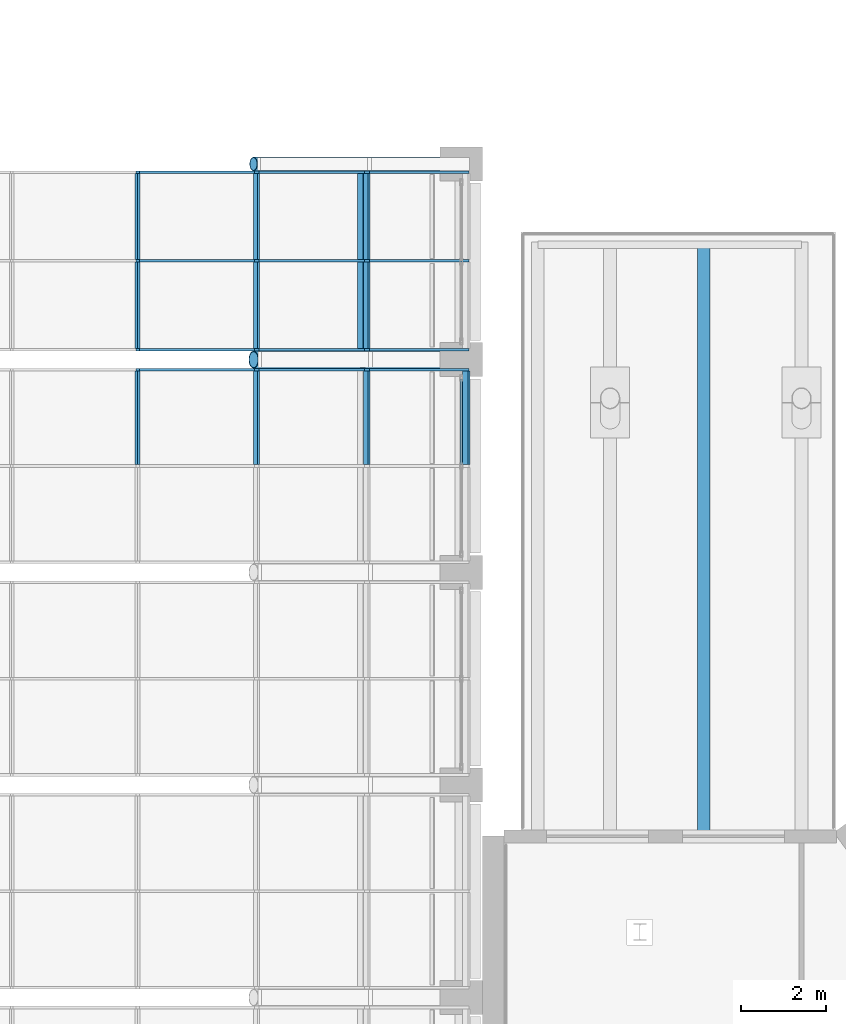
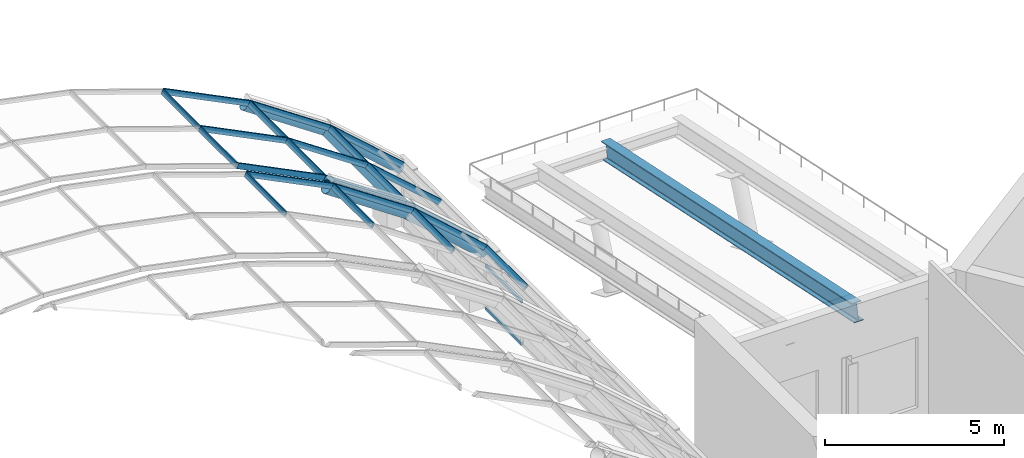
# One storey, part 87 of 182: 29 members, 1 beam, 3 elements without a shape of their own.
"""IFC4 building model written with IfcOpenShell, lengths in metres."""

from ifc_helpers import new_model, si_unit, direction, frame, origin, origin_2d, place, context, subcontext, project, spatial, rectangle, hollow_rectangle, hollow_circle, i_section, extrude, material, material_profile, profile_set, type_object, element, aggregate, save


model = new_model("IFC4")

# Units and contexts
model_context = context("Model", 3, precision=1e-05, world=origin(), true_north=direction((0.0, 1.0)))
body_context = subcontext(model_context, "Body", "Model", "MODEL_VIEW")
ifc_project = project(units=[si_unit("LENGTHUNIT", "METRE"), si_unit("AREAUNIT", "SQUARE_METRE"), si_unit("VOLUMEUNIT", "CUBIC_METRE"), si_unit("PLANEANGLEUNIT", "RADIAN"), si_unit("MASSUNIT", "GRAM", prefix="KILO")], contexts=[model_context])

# Site, building, storey
site_placement = place(None, origin())
site = spatial("IfcSite", under=ifc_project, at=site_placement, CompositionType="ELEMENT")
building_placement = place(site_placement, origin())
building = spatial("IfcBuilding", under=site, at=building_placement, Name="Okhra Congress Centre", CompositionType="ELEMENT")
storey_placement = place(building_placement, frame((0.0, 0.0, 7.199951171875)))
storey = spatial("IfcBuildingStorey", under=building, at=storey_placement, Name="L01", CompositionType="ELEMENT", Elevation=7.199951171875)

# Curtain wall, members
ifc_material_1 = material(Name="Aluminium frame with triple glazing", Category="aluminium")
curtain_wall_type_1 = type_object("IfcCurtainWallType", Name="Glazed vault bay curtain wall", PredefinedType="NOTDEFINED", material=ifc_material_1)
curtain_wall_1_placement = place(storey_placement, origin())
curtain_wall_1 = element("IfcCurtainWall", 1, at=curtain_wall_1_placement, inside=storey, type_object=curtain_wall_type_1, Name="Vault glazing bay 27", PredefinedType="NOTDEFINED")
ifc_material_2 = material(Name="Aluminium alloy 6063", Category="aluminium")
ifc_material_profile_1 = material_profile(ifc_material_2, rectangle(XDim=0.06005859375, YDim=0.179931640625, at=origin_2d()), Name="AL 60x180")
ifc_profile_set_1 = profile_set([ifc_material_profile_1], Name="Aluminium alloy 6063")
member_type_1 = type_object("IfcMemberType", Name="Aluminium mullion 60x180", PredefinedType="MULLION", material=ifc_profile_set_1)
member_1_placement = place(storey_placement, frame((181.390625, 210.766845703125, 7.1318359375), z_axis=(0.895253656313, 0.0, -0.445556832354), x_axis=(0.0, 1.0, 0.0)))
member_1 = element("IfcMember", 2, at=member_1_placement, type_object=member_type_1, Name="Vault mullion 27.3.10", PredefinedType="MULLION", context=body_context, shape_type="SweptSolid", body=[
    extrude(rectangle(XDim=0.06005859375, YDim=0.179931640625, at=origin_2d()), origin(), (0.0, 0.0, 1.0), 3.12548828125),
])
member_2_placement = place(storey_placement, frame((184.188720703125, 210.766845703125, 5.7392578125), z_axis=(0.828827846338, 0.0, -0.559503709671), x_axis=(0.0, 1.0, 0.0)))
member_2 = element("IfcMember", 3, at=member_2_placement, type_object=member_type_1, Name="Vault mullion 27.3.11", PredefinedType="MULLION", context=body_context, shape_type="SweptSolid", body=[
    extrude(rectangle(XDim=0.06005859375, YDim=0.179931640625, at=origin_2d()), origin(), (0.0, 0.0, 1.0), 3.12548828125),
])
member_3_placement = place(storey_placement, frame((186.779296875, 210.766845703125, 3.990478515625), z_axis=(0.748025229923, 0.0, -0.663670291183), x_axis=(0.0, 1.0, 0.0)))
member_3 = element("IfcMember", 4, at=member_3_placement, type_object=member_type_1, Name="Vault mullion 27.3.12", PredefinedType="MULLION", context=body_context, shape_type="SweptSolid", body=[
    extrude(rectangle(XDim=0.06005859375, YDim=0.179931640625, at=origin_2d()), origin(), (0.0, 0.0, 1.0), 3.125732421875),
])

curtain_wall_2_placement = place(storey_placement, origin())
curtain_wall_2 = element("IfcCurtainWall", 5, at=curtain_wall_2_placement, inside=storey, type_object=curtain_wall_type_1, Name="Vault glazing bay 28", PredefinedType="NOTDEFINED")
member_4_placement = place(storey_placement, frame((181.390625, 211.233154296875, 7.1318359375), z_axis=(0.895253656313, 0.0, -0.445556832354), x_axis=(0.0, 1.0, 0.0)))
member_4 = element("IfcMember", 6, at=member_4_placement, type_object=member_type_1, Name="Vault mullion 28.1.10", PredefinedType="MULLION", context=body_context, shape_type="SweptSolid", body=[
    extrude(rectangle(XDim=0.06005859375, YDim=0.179931640625, at=origin_2d()), origin(), (0.0, 0.0, 1.0), 3.12548828125),
])
member_5_placement = place(storey_placement, frame((184.188720703125, 211.233154296875, 5.7392578125), z_axis=(0.828827846338, 0.0, -0.559503709671), x_axis=(0.0, 1.0, 0.0)))
member_5 = element("IfcMember", 7, at=member_5_placement, type_object=member_type_1, Name="Vault mullion 28.1.11", PredefinedType="MULLION", context=body_context, shape_type="SweptSolid", body=[
    extrude(rectangle(XDim=0.06005859375, YDim=0.179931640625, at=origin_2d()), origin(), (0.0, 0.0, 1.0), 3.12548828125),
])
member_6_placement = place(storey_placement, frame((186.779296875, 211.233154296875, 3.990478515625), z_axis=(0.748025229923, 0.0, -0.663670291183), x_axis=(0.0, 1.0, 0.0)))
member_6 = element("IfcMember", 8, at=member_6_placement, type_object=member_type_1, Name="Vault mullion 28.1.12", PredefinedType="MULLION", context=body_context, shape_type="SweptSolid", body=[
    extrude(rectangle(XDim=0.06005859375, YDim=0.179931640625, at=origin_2d()), origin(), (0.0, 0.0, 1.0), 3.125732421875),
])
member_7_placement = place(storey_placement, frame((181.390625, 213.320556640625, 7.1318359375), z_axis=(0.895253656313, 0.0, -0.445556832354), x_axis=(0.0, 1.0, 0.0)))
member_7 = element("IfcMember", 9, at=member_7_placement, type_object=member_type_1, Name="Vault mullion 28.2.10", PredefinedType="MULLION", context=body_context, shape_type="SweptSolid", body=[
    extrude(rectangle(XDim=0.06005859375, YDim=0.179931640625, at=origin_2d()), origin(), (0.0, 0.0, 1.0), 3.12548828125),
])
member_8_placement = place(storey_placement, frame((184.188720703125, 213.320556640625, 5.7392578125), z_axis=(0.828827846338, 0.0, -0.559503709671), x_axis=(0.0, 1.0, 0.0)))
member_8 = element("IfcMember", 10, at=member_8_placement, type_object=member_type_1, Name="Vault mullion 28.2.11", PredefinedType="MULLION", context=body_context, shape_type="SweptSolid", body=[
    extrude(rectangle(XDim=0.06005859375, YDim=0.179931640625, at=origin_2d()), origin(), (0.0, 0.0, 1.0), 3.12548828125),
])
member_9_placement = place(storey_placement, frame((186.779296875, 213.320556640625, 3.990478515625), z_axis=(0.748025229923, 0.0, -0.663670291183), x_axis=(0.0, 1.0, 0.0)))
member_9 = element("IfcMember", 11, at=member_9_placement, type_object=member_type_1, Name="Vault mullion 28.2.12", PredefinedType="MULLION", context=body_context, shape_type="SweptSolid", body=[
    extrude(rectangle(XDim=0.06005859375, YDim=0.179931640625, at=origin_2d()), origin(), (0.0, 0.0, 1.0), 3.125732421875),
])
member_10_placement = place(storey_placement, frame((181.390625, 215.407958984375, 7.1318359375), z_axis=(0.895253656313, 0.0, -0.445556832354), x_axis=(0.0, 1.0, 0.0)))
member_10 = element("IfcMember", 12, at=member_10_placement, type_object=member_type_1, Name="Vault mullion 28.3.10", PredefinedType="MULLION", context=body_context, shape_type="SweptSolid", body=[
    extrude(rectangle(XDim=0.06005859375, YDim=0.179931640625, at=origin_2d()), origin(), (0.0, 0.0, 1.0), 3.12548828125),
])
member_11_placement = place(storey_placement, frame((184.188720703125, 215.407958984375, 5.7392578125), z_axis=(0.828827846338, 0.0, -0.559503709671), x_axis=(0.0, 1.0, 0.0)))
member_11 = element("IfcMember", 13, at=member_11_placement, type_object=member_type_1, Name="Vault mullion 28.3.11", PredefinedType="MULLION", context=body_context, shape_type="SweptSolid", body=[
    extrude(rectangle(XDim=0.06005859375, YDim=0.179931640625, at=origin_2d()), origin(), (0.0, 0.0, 1.0), 3.12548828125),
])
member_12_placement = place(storey_placement, frame((186.779296875, 215.407958984375, 3.990478515625), z_axis=(0.748025229923, 0.0, -0.663670291183), x_axis=(0.0, 1.0, 0.0)))
member_12 = element("IfcMember", 14, at=member_12_placement, type_object=member_type_1, Name="Vault mullion 28.3.12", PredefinedType="MULLION", context=body_context, shape_type="SweptSolid", body=[
    extrude(rectangle(XDim=0.06005859375, YDim=0.179931640625, at=origin_2d()), origin(), (0.0, 0.0, 1.0), 3.125732421875),
])

# Member
ifc_material_profile_2 = material_profile(ifc_material_2, rectangle(XDim=0.06005859375, YDim=0.159912109375, at=origin_2d()), Name="AL 60x160 transom")
ifc_profile_set_2 = profile_set([ifc_material_profile_2], Name="Aluminium alloy 6063")
member_type_2 = type_object("IfcMemberType", Name="Aluminium transom 60x160", PredefinedType="USERDEFINED", material=ifc_profile_set_2)
member_13_placement = place(storey_placement, frame((181.38671875, 208.530029296875, 7.12255859375), z_axis=(0.0, 1.0, 0.0), x_axis=(-0.922668973833, 0.0, 0.38559300399)))
member_13 = element("IfcMember", 15, at=member_13_placement, type_object=member_type_2, Name="Vault transom 27.2.10", ObjectType="TRANSOM", PredefinedType="USERDEFINED", context=body_context, shape_type="SweptSolid", body=[
    extrude(rectangle(XDim=0.06005859375, YDim=0.159912109375, at=origin_2d()), origin(), (0.0, 0.0, 1.0), 2.206787109375),
])

member_14_placement = place(storey_placement, frame((181.38671875, 211.26318359375, 7.12255859375), z_axis=(0.0, 1.0, 0.0), x_axis=(-0.922668973833, 0.0, 0.38559300399)))
member_14 = element("IfcMember", 16, at=member_14_placement, type_object=member_type_2, Name="Vault transom 28.1.10", ObjectType="TRANSOM", PredefinedType="USERDEFINED", context=body_context, shape_type="SweptSolid", body=[
    extrude(rectangle(XDim=0.06005859375, YDim=0.159912109375, at=origin_2d()), origin(), (0.0, 0.0, 1.0), 2.02734375),
])

member_15_placement = place(storey_placement, frame((181.38671875, 213.3505859375, 7.12255859375), z_axis=(0.0, 1.0, 0.0), x_axis=(-0.922668973833, 0.0, 0.38559300399)))
member_15 = element("IfcMember", 17, at=member_15_placement, type_object=member_type_2, Name="Vault transom 28.2.10", ObjectType="TRANSOM", PredefinedType="USERDEFINED", context=body_context, shape_type="SweptSolid", body=[
    extrude(rectangle(XDim=0.06005859375, YDim=0.159912109375, at=origin_2d()), origin(), (0.0, 0.0, 1.0), 2.02734375),
])

ifc_material_profile_3 = material_profile(ifc_material_2, rectangle(XDim=0.06005859375, YDim=0.179931640625, at=origin_2d()), Name="AL 60x180 transom")
ifc_profile_set_3 = profile_set([ifc_material_profile_3], Name="Aluminium alloy 6063")
member_type_3 = type_object("IfcMemberType", Name="Aluminium transom 60x180", PredefinedType="USERDEFINED", material=ifc_profile_set_3)
member_16_placement = place(storey_placement, frame((184.188720703125, 208.530029296875, 5.7392578125), z_axis=(0.0, 1.0, 0.0), x_axis=(-0.86391685861, 0.0, 0.503634452167)))
member_16 = element("IfcMember", 18, at=member_16_placement, type_object=member_type_3, Name="Vault transom 27.2.11", ObjectType="TRANSOM", PredefinedType="USERDEFINED", context=body_context, shape_type="SweptSolid", body=[
    extrude(rectangle(XDim=0.06005859375, YDim=0.179931640625, at=origin_2d()), origin(), (0.0, 0.0, 1.0), 2.206787109375),
])

member_17_placement = place(storey_placement, frame((186.779296875, 208.530029296875, 3.990478515625), z_axis=(0.0, 1.0, 0.0), x_axis=(-0.790145035185, 0.0, 0.612919915954)))
member_17 = element("IfcMember", 19, at=member_17_placement, type_object=member_type_3, Name="Vault transom 27.2.12", ObjectType="TRANSOM", PredefinedType="USERDEFINED", context=body_context, shape_type="SweptSolid", body=[
    extrude(rectangle(XDim=0.06005859375, YDim=0.179931640625, at=origin_2d()), origin(), (0.0, 0.0, 1.0), 2.206787109375),
])

member_18_placement = place(storey_placement, frame((189.117431640625, 208.530029296875, 1.916015625), z_axis=(0.0, 1.0, 0.0), x_axis=(-0.702636070549, 0.0, 0.711549402616)))
member_18 = element("IfcMember", 20, at=member_18_placement, type_object=member_type_3, Name="Vault transom 27.2.13", ObjectType="TRANSOM", PredefinedType="USERDEFINED", context=body_context, shape_type="SweptSolid", body=[
    extrude(rectangle(XDim=0.06005859375, YDim=0.179931640625, at=origin_2d()), origin(), (0.0, 0.0, 1.0), 2.206787109375),
])

aggregate(curtain_wall_1, [member_1, member_2, member_3, member_13, member_16, member_17, member_18])

member_19_placement = place(storey_placement, frame((184.188720703125, 211.26318359375, 5.7392578125), z_axis=(0.0, 1.0, 0.0), x_axis=(-0.86391685861, 0.0, 0.503634452167)))
member_19 = element("IfcMember", 21, at=member_19_placement, type_object=member_type_3, Name="Vault transom 28.1.11", ObjectType="TRANSOM", PredefinedType="USERDEFINED", context=body_context, shape_type="SweptSolid", body=[
    extrude(rectangle(XDim=0.06005859375, YDim=0.179931640625, at=origin_2d()), origin(), (0.0, 0.0, 1.0), 2.02734375),
])

member_20_placement = place(storey_placement, frame((186.779296875, 211.26318359375, 3.990478515625), z_axis=(0.0, 1.0, 0.0), x_axis=(-0.790145035185, 0.0, 0.612919915954)))
member_20 = element("IfcMember", 22, at=member_20_placement, type_object=member_type_3, Name="Vault transom 28.1.12", ObjectType="TRANSOM", PredefinedType="USERDEFINED", context=body_context, shape_type="SweptSolid", body=[
    extrude(rectangle(XDim=0.06005859375, YDim=0.179931640625, at=origin_2d()), origin(), (0.0, 0.0, 1.0), 2.02734375),
])

member_21_placement = place(storey_placement, frame((184.188720703125, 213.3505859375, 5.7392578125), z_axis=(0.0, 1.0, 0.0), x_axis=(-0.86391685861, 0.0, 0.503634452167)))
member_21 = element("IfcMember", 23, at=member_21_placement, type_object=member_type_3, Name="Vault transom 28.2.11", ObjectType="TRANSOM", PredefinedType="USERDEFINED", context=body_context, shape_type="SweptSolid", body=[
    extrude(rectangle(XDim=0.06005859375, YDim=0.179931640625, at=origin_2d()), origin(), (0.0, 0.0, 1.0), 2.02734375),
])

member_22_placement = place(storey_placement, frame((186.779296875, 213.3505859375, 3.990478515625), z_axis=(0.0, 1.0, 0.0), x_axis=(-0.790145035185, 0.0, 0.612919915954)))
member_22 = element("IfcMember", 24, at=member_22_placement, type_object=member_type_3, Name="Vault transom 28.2.12", ObjectType="TRANSOM", PredefinedType="USERDEFINED", context=body_context, shape_type="SweptSolid", body=[
    extrude(rectangle(XDim=0.06005859375, YDim=0.179931640625, at=origin_2d()), origin(), (0.0, 0.0, 1.0), 2.02734375),
])

aggregate(curtain_wall_2, [member_4, member_5, member_6, member_7, member_8, member_9, member_10, member_11, member_12, member_14, member_19, member_20, member_15, member_21, member_22])

# Curtain wall, members
ifc_material_3 = material(Name="Aluminium curtain wall, triple glazing", Category="aluminium")
curtain_wall_type_2 = type_object("IfcCurtainWallType", Name="Curtain wall 2100 module", PredefinedType="NOTDEFINED", material=ifc_material_3)
curtain_wall_3_placement = place(storey_placement, origin())
curtain_wall_3 = element("IfcCurtainWall", 25, at=curtain_wall_3_placement, inside=storey, type_object=curtain_wall_type_2, Name="East bay 8 clerestory glazing", PredefinedType="NOTDEFINED")
ifc_material_4 = material(Name="Aluminium alloy EN AW-6063 T66", Category="aluminium")
ifc_material_profile_4 = material_profile(ifc_material_4, hollow_rectangle(XDim=0.06005859375, YDim=0.10009765625, WallThickness=0.00390625, at=origin_2d()), Name="RHS 60x100x4")
ifc_profile_set_4 = profile_set([ifc_material_profile_4], Name="Aluminium alloy EN AW-6063 T66")
member_type_4 = type_object("IfcMemberType", Name="Curtain wall transom 60x100", PredefinedType="USERDEFINED", material=ifc_profile_set_4)
member_23_placement = place(storey_placement, frame((189.0, 208.530029296875, 0.030029296875), z_axis=(0.0, 1.0, 0.0), x_axis=(-1.0, 0.0, 0.0)))
member_23 = element("IfcMember", 26, at=member_23_placement, type_object=member_type_4, Name="CW4 transom 2.1", ObjectType="TRANSOM", PredefinedType="USERDEFINED", context=body_context, shape_type="SweptSolid", body=[
    extrude(hollow_rectangle(XDim=0.06005859375, YDim=0.10009765625, WallThickness=0.00390625, at=origin_2d()), origin(), (0.0, 0.0, 1.0), 2.010009765625),
])
member_24_placement = place(storey_placement, frame((189.0, 208.530029296875, 1.469970703125), z_axis=(0.0, 1.0, 0.0), x_axis=(-1.0, 0.0, 0.0)))
member_24 = element("IfcMember", 27, at=member_24_placement, type_object=member_type_4, Name="CW4 transom 2.2", ObjectType="TRANSOM", PredefinedType="USERDEFINED", context=body_context, shape_type="SweptSolid", body=[
    extrude(hollow_rectangle(XDim=0.06005859375, YDim=0.10009765625, WallThickness=0.00390625, at=origin_2d()), origin(), (0.0, 0.0, 1.0), 2.010009765625),
])
aggregate(curtain_wall_3, [member_23, member_24])

# Beam
ifc_material_5 = material(Name="Steel S355J2", Category="steel")
ifc_material_profile_5 = material_profile(ifc_material_5, i_section(OverallWidth=0.300048828125, OverallDepth=0.60009765625, WebThickness=0.015380859375, FlangeThickness=0.030029296875, FilletRadius=0.027099609375, at=origin_2d()), Name="HE 600 B")
ifc_profile_set_5 = profile_set([ifc_material_profile_5], Name="Steel S355J2")
beam_type = type_object("IfcBeamType", Name="HE 600 B", PredefinedType="BEAM", material=ifc_profile_set_5)
beam_placement = place(storey_placement, frame((194.699951171875, 199.699951171875, 4.48681640625), z_axis=(0.0, 0.978420335295, -0.206624411629), x_axis=(-1.0, 0.0, 0.0)))
element("IfcBeam", 28, at=beam_placement, inside=storey, type_object=beam_type, Name="North canopy beam 3", PredefinedType="BEAM", context=body_context, shape_type="SweptSolid", body=[
    extrude(i_section(OverallWidth=0.300048828125, OverallDepth=0.60009765625, WebThickness=0.015380859375, FlangeThickness=0.030029296875, FilletRadius=0.027099609375, at=origin_2d()), origin(), (0.0, 0.0, 1.0), 14.308837890625),
])

# Members
ifc_material_profile_6 = material_profile(ifc_material_5, hollow_rectangle(XDim=0.10009765625, YDim=0.199951171875, WallThickness=0.008056640625, at=origin_2d()), Name="RHS 200x100x8")
ifc_profile_set_6 = profile_set([ifc_material_profile_6], Name="Steel S355J2")
member_type_5 = type_object("IfcMemberType", Name="Steel purlin RHS 200x100x8", PredefinedType="PURLIN", material=ifc_profile_set_6)
member_25_placement = place(storey_placement, frame((186.662841796875, 211.203125, 3.84033203125), z_axis=(0.0, 1.0, 0.0), x_axis=(-0.790145035185, 0.0, 0.612919915954)))
element("IfcMember", 29, at=member_25_placement, inside=storey, type_object=member_type_5, Name="Vault purlin 28.11", PredefinedType="PURLIN", context=body_context, shape_type="SweptSolid", body=[
    extrude(hollow_rectangle(XDim=0.10009765625, YDim=0.199951171875, WallThickness=0.008056640625, at=origin_2d()), origin(), (0.0, 0.0, 1.0), 4.23486328125),
])
ifc_material_profile_7 = material_profile(ifc_material_5, hollow_circle(Radius=0.203125, WallThickness=0.01611328125, at=origin_2d()), Name="CHS 406.4x16")
ifc_profile_set_7 = profile_set([ifc_material_profile_7], Name="Steel S355J2")
member_type_6 = type_object("IfcMemberType", Name="Tubular steel arch rib CHS 406x16", PredefinedType="USERDEFINED", material=ifc_profile_set_7)
member_26_placement = place(storey_placement, frame((184.116943359375, 211.0, 5.589111328125), z_axis=(0.82882567543, 0.0, -0.559506925558), x_axis=(0.0, 1.0, 0.0)))
element("IfcMember", 30, at=member_26_placement, inside=storey, type_object=member_type_6, Name="Arch rib 28.11", ObjectType="Arch rib", PredefinedType="USERDEFINED", context=body_context, shape_type="SweptSolid", body=[
    extrude(hollow_circle(Radius=0.203125, WallThickness=0.01611328125, at=origin_2d()), origin(), (0.0, 0.0, 1.0), 3.07666015625),
])
member_27_placement = place(storey_placement, frame((186.6884765625, 211.0, 3.85107421875), z_axis=(0.74799336374, 0.0, -0.663706205938), x_axis=(0.0, 1.0, 0.0)))
element("IfcMember", 31, at=member_27_placement, inside=storey, type_object=member_type_6, Name="Arch rib 28.12", ObjectType="Arch rib", PredefinedType="USERDEFINED", context=body_context, shape_type="SweptSolid", body=[
    extrude(hollow_circle(Radius=0.203125, WallThickness=0.01611328125, at=origin_2d()), origin(), (0.0, 0.0, 1.0), 3.3193359375),
])
ifc_material_profile_8 = material_profile(ifc_material_5, hollow_circle(Radius=0.161865234375, WallThickness=0.012451171875, at=origin_2d()), Name="CHS 323.9x12.5")
ifc_profile_set_8 = profile_set([ifc_material_profile_8], Name="Steel S355J2")
member_type_7 = type_object("IfcMemberType", Name="Tubular steel gable arch CHS 324x12.5", PredefinedType="USERDEFINED", material=ifc_profile_set_8)
member_28_placement = place(storey_placement, frame((184.114501953125, 215.60009765625, 5.590576171875), z_axis=(0.82881928924, 0.0, -0.559516385626), x_axis=(0.0, 1.0, 0.0)))
element("IfcMember", 32, at=member_28_placement, inside=storey, type_object=member_type_7, Name="Arch rib 29.11", ObjectType="Arch rib", PredefinedType="USERDEFINED", context=body_context, shape_type="SweptSolid", body=[
    extrude(hollow_circle(Radius=0.161865234375, WallThickness=0.012451171875, at=origin_2d()), origin(), (0.0, 0.0, 1.0), 3.082275390625),
])
member_29_placement = place(storey_placement, frame((186.686279296875, 215.60009765625, 3.852783203125), z_axis=(0.748034054476, 0.0, -0.663660344864), x_axis=(0.0, 1.0, 0.0)))
element("IfcMember", 33, at=member_29_placement, inside=storey, type_object=member_type_7, Name="Arch rib 29.12", ObjectType="Arch rib", PredefinedType="USERDEFINED", context=body_context, shape_type="SweptSolid", body=[
    extrude(hollow_circle(Radius=0.161865234375, WallThickness=0.012451171875, at=origin_2d()), origin(), (0.0, 0.0, 1.0), 3.275634765625),
])

save(model, "model.ifc")
